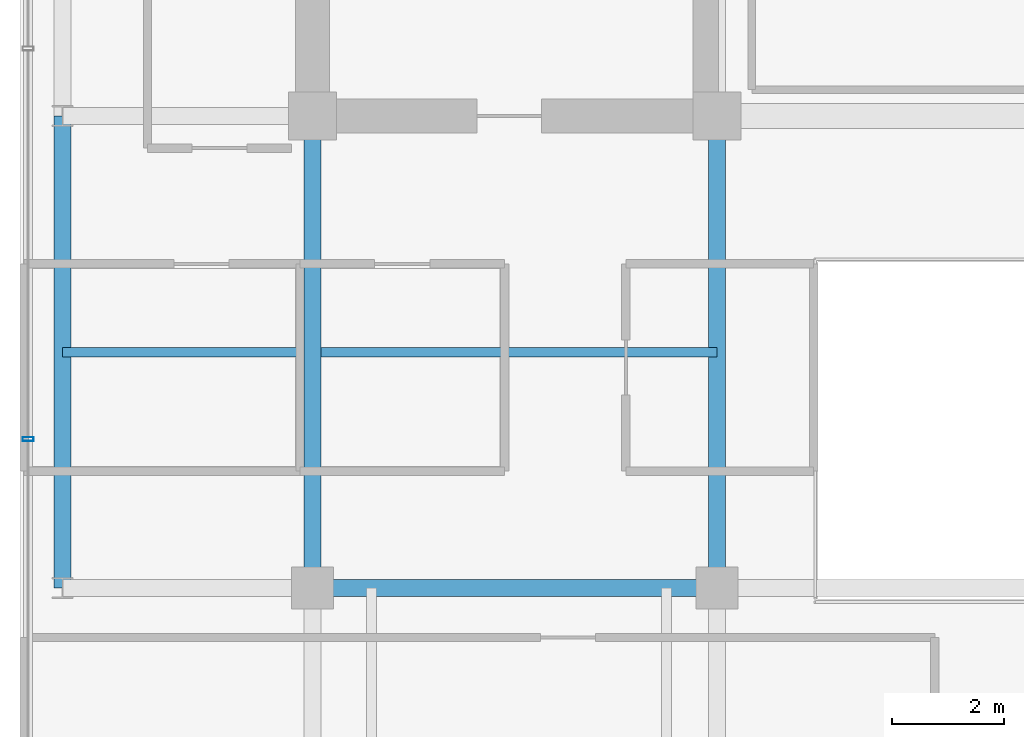
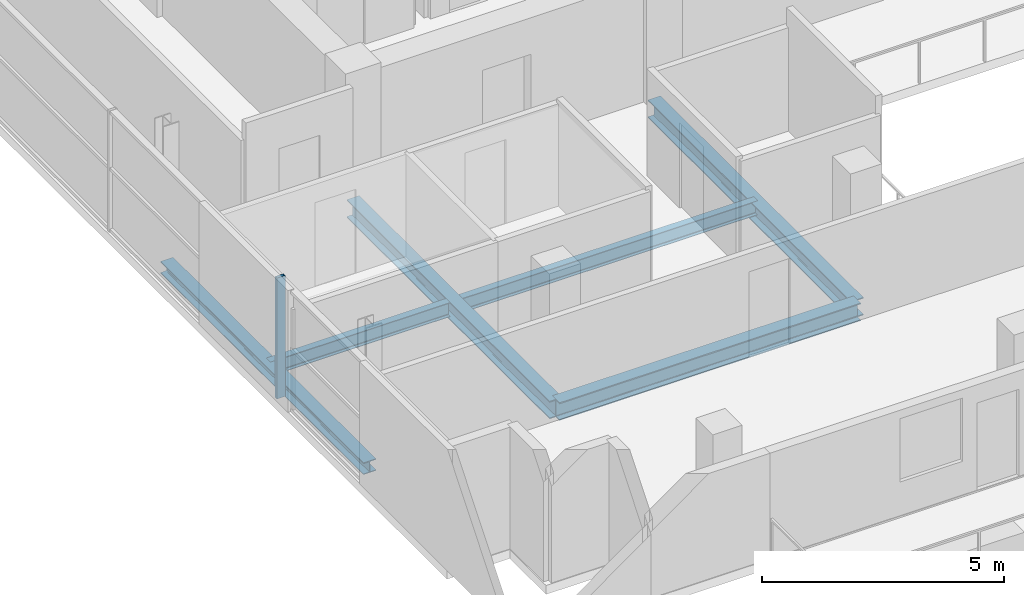
# One storey, part 4 of 22: 6 beams, 1 member, 1 element without a shape of its own.
"""IFC4 building model written with IfcOpenShell, lengths in metres."""

from ifc_helpers import new_model, si_unit, direction, frame, origin, origin_2d, place, context, subcontext, project, spatial, hollow_rectangle, i_section, extrude, source, transform, mapped, material, layer, layer_set, material_profile, profile_set, type_object, element, aggregate, save


model = new_model("IFC4")

# Units and contexts
model_context = context("Model", 3, precision=1e-05, world=origin(), true_north=direction((0.0, 1.0)))
body_context = subcontext(model_context, "Body", "Model", "MODEL_VIEW")
ifc_project = project(units=[si_unit("LENGTHUNIT", "METRE"), si_unit("AREAUNIT", "SQUARE_METRE"), si_unit("VOLUMEUNIT", "CUBIC_METRE"), si_unit("PLANEANGLEUNIT", "RADIAN"), si_unit("MASSUNIT", "GRAM", prefix="KILO")], contexts=[model_context])

# Site, building, storey
site_placement = place(None, origin())
site = spatial("IfcSite", under=ifc_project, at=site_placement, CompositionType="ELEMENT")
building_placement = place(site_placement, origin())
building = spatial("IfcBuilding", under=site, at=building_placement, Name="Zarnakvel Exchange Tower", CompositionType="ELEMENT")
storey_placement = place(building_placement, frame((0.0, 0.0, 251.800048828125)))
storey = spatial("IfcBuildingStorey", under=building, at=storey_placement, Name="L71", CompositionType="ELEMENT", Elevation=251.800048828125)

# Beams
ifc_material_1 = material(Name="Steel S355", Category="steel")
ifc_material_profile_1 = material_profile(ifc_material_1, i_section(OverallWidth=0.169921875, OverallDepth=0.360107421875, WebThickness=0.008056640625, FlangeThickness=0.0126953125, FilletRadius=0.01806640625, at=origin_2d()))
ifc_profile_set_1 = profile_set([ifc_material_profile_1], Name="Steel S355")
beam_type_1 = type_object("IfcBeamType", Name="B-07", PredefinedType="JOIST", material=ifc_profile_set_1)
beam_1_placement = place(storey_placement, frame((-18.85009765625, -5.39990234375, -0.405029296875), z_axis=(1.0, 0.0, 0.0), x_axis=(0.0, 1.0, 0.0)))
element("IfcBeam", 1, at=beam_1_placement, inside=storey, type_object=beam_type_1, Name="L71 Composite Floor Secondary Joist", PredefinedType="JOIST", context=body_context, shape_type="SweptSolid", body=[
    extrude(i_section(OverallWidth=0.169921875, OverallDepth=0.360107421875, WebThickness=0.008056640625, FlangeThickness=0.0126953125, FilletRadius=0.01806640625, at=origin_2d()), origin(), (0.0, 0.0, 1.0), 4.300048828125),
])
beam_2_placement = place(storey_placement, frame((-14.25, -5.39990234375, -0.405029296875), z_axis=(1.0, 0.0, 0.0), x_axis=(0.0, 1.0, 0.0)))
element("IfcBeam", 2, at=beam_2_placement, inside=storey, type_object=beam_type_1, Name="L71 Composite Floor Secondary Joist", PredefinedType="JOIST", context=body_context, shape_type="SweptSolid", body=[
    extrude(i_section(OverallWidth=0.169921875, OverallDepth=0.360107421875, WebThickness=0.008056640625, FlangeThickness=0.0126953125, FilletRadius=0.01806640625, at=origin_2d()), origin(), (0.0, 0.0, 1.0), 7.050048828125),
])
ifc_material_profile_2 = material_profile(ifc_material_1, i_section(OverallWidth=0.300048828125, OverallDepth=0.449951171875, WebThickness=0.013916015625, FlangeThickness=0.02587890625, FilletRadius=0.027099609375, at=origin_2d()))
ifc_profile_set_2 = profile_set([ifc_material_profile_2], Name="Steel S355")
beam_type_2 = type_object("IfcBeamType", Name="G-07", PredefinedType="BEAM", material=ifc_profile_set_2)
beam_3_placement = place(storey_placement, frame((-14.39990234375, -9.60009765625, -0.449951171875), z_axis=(1.0, 0.0, 0.0), x_axis=(0.0, 1.0, 0.0)))
element("IfcBeam", 3, at=beam_3_placement, inside=storey, type_object=beam_type_2, Name="L71 Tower E-W Frame Beam", PredefinedType="BEAM", context=body_context, shape_type="SweptSolid", body=[
    extrude(i_section(OverallWidth=0.300048828125, OverallDepth=0.449951171875, WebThickness=0.013916015625, FlangeThickness=0.02587890625, FilletRadius=0.027099609375, at=origin_2d()), origin(), (0.0, 0.0, 1.0), 7.199951171875),
])
for number, where, z_axis, x_axis, name in (
    (4, (-14.39990234375, -9.60009765625, -0.449951171875), (0.0, 1.0, 0.0), (-1.0, 0.0, 0.0), "L71 Tower N-S Frame Beam"),
    (5, (-7.199951171875, -9.60009765625, -0.449951171875), (0.0, 1.0, 0.0), (-1.0, 0.0, 0.0), "L71 Tower N-S Frame Beam"),
):
    element("IfcBeam", number, at=place(storey_placement, frame(where, z_axis=z_axis, x_axis=x_axis)), inside=storey, type_object=beam_type_2, Name=name, PredefinedType="BEAM", context=body_context, shape_type="SweptSolid", body=[
        extrude(i_section(OverallWidth=0.300048828125, OverallDepth=0.449951171875, WebThickness=0.013916015625, FlangeThickness=0.02587890625, FilletRadius=0.027099609375, at=origin_2d()), origin(), (0.0, 0.0, 1.0), 8.400146484375),
    ])
ifc_material_profile_3 = material_profile(ifc_material_1, i_section(OverallWidth=0.300048828125, OverallDepth=0.300048828125, WebThickness=0.010986328125, FlangeThickness=0.01904296875, FilletRadius=0.027099609375, at=origin_2d()))
ifc_profile_set_3 = profile_set([ifc_material_profile_3], Name="Steel S355")
beam_type_3 = type_object("IfcBeamType", Name="SP-03", PredefinedType="SPANDREL", material=ifc_profile_set_3)
beam_4_placement = place(storey_placement, frame((-18.85009765625, -9.60009765625, -0.375), z_axis=(0.0, 1.0, 0.0), x_axis=(-1.0, 0.0, 0.0)))
element("IfcBeam", 6, at=beam_4_placement, inside=storey, type_object=beam_type_3, Name="L71 Tower N-S Frame Beam", PredefinedType="SPANDREL", context=body_context, shape_type="SweptSolid", body=[
    extrude(i_section(OverallWidth=0.300048828125, OverallDepth=0.300048828125, WebThickness=0.010986328125, FlangeThickness=0.01904296875, FilletRadius=0.027099609375, at=origin_2d()), origin(), (0.0, 0.0, 1.0), 8.400146484375),
])

# Curtain wall, member
ifc_material_2 = material(Name="Architectural Bronze Anodised Aluminium", Category="aluminium")
ifc_layer = layer(ifc_material_2, 0.199951171875)
ifc_layer_set = layer_set([ifc_layer], Name="Architectural Bronze Anodised Aluminium")
curtain_wall_type = type_object("IfcCurtainWallType", Name="CW-04", PredefinedType="NOTDEFINED", material=ifc_layer_set)
curtain_wall_placement = place(storey_placement, origin())
curtain_wall = element("IfcCurtainWall", 7, at=curtain_wall_placement, inside=storey, type_object=curtain_wall_type, Name="L71 Curtain Wall CW-L71-W1 (CW-04)", PredefinedType="NOTDEFINED")
ifc_material_profile_4 = material_profile(ifc_material_2, hollow_rectangle(XDim=0.199951171875, YDim=0.074951171875, WallThickness=0.0048828125, at=origin_2d()))
ifc_profile_set_4 = profile_set([ifc_material_profile_4], Name="Architectural Bronze Anodised Aluminium")
member_type = type_object("IfcMemberType", Name="CWM-04", PredefinedType="MULLION", material=ifc_profile_set_4)
shared_shape = source(origin(), body_context, "Body", "SweptSolid", [
    extrude(hollow_rectangle(XDim=0.199951171875, YDim=0.074951171875, WallThickness=0.0048828125, at=origin_2d()), origin(), (0.0, 0.0, 1.0), 3.054931640625),
])
member_placement = place(storey_placement, frame((-19.4599609375, -6.949951171875, 0.0), z_axis=(0.0, 0.0, 1.0), x_axis=(-1.0, 0.0, 0.0)))
member = element("IfcMember", 8, at=member_placement, type_object=member_type, Name="CW-04 mullion 2", PredefinedType="MULLION", context=body_context, shape_type="MappedRepresentation", body=[
    mapped(shared_shape, transform((0.0, 0.0, 0.0), x_axis=(1.0, 0.0, 0.0), y_axis=(0.0, 1.0, 0.0), z_axis=(0.0, 0.0, 1.0), scale=1.0)),
])
aggregate(curtain_wall, [member])

save(model, "model.ifc")
